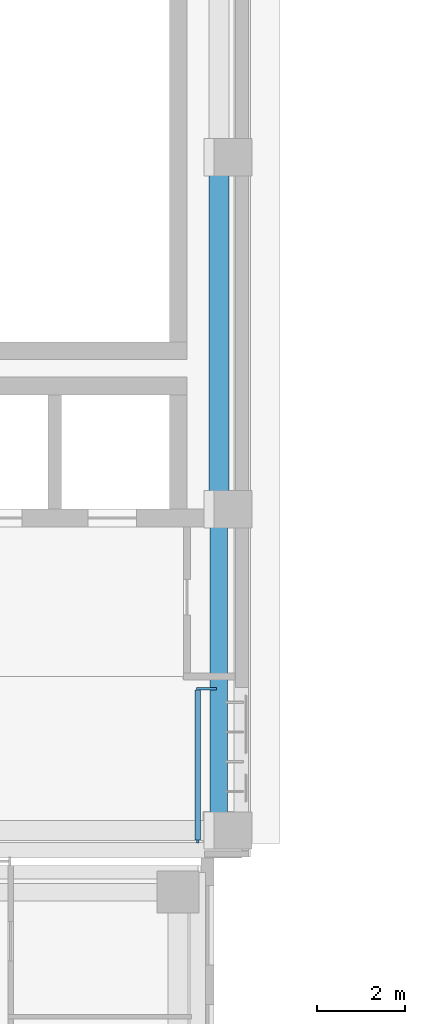
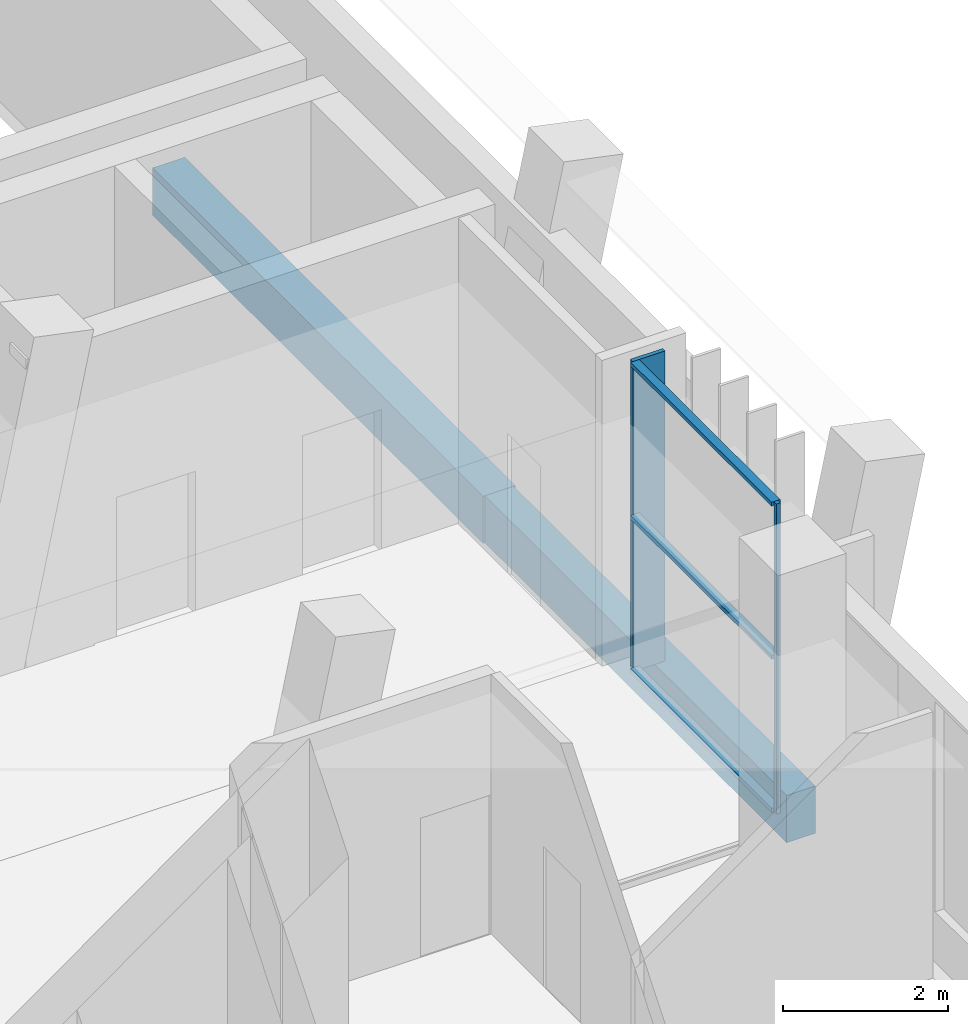
# One storey, part 43 of 92: 5 members, 2 beams, 1 element without a shape of its own.
"""IFC4 building model written with IfcOpenShell, lengths in metres."""

from ifc_helpers import new_model, si_unit, direction, frame, origin, origin_2d, place, context, subcontext, project, spatial, rectangle, extrude, material, material_profile, profile_set, type_object, element, aggregate, save


model = new_model("IFC4")

# Units and contexts
model_context = context("Model", 3, precision=1e-05, world=origin(), true_north=direction((0.0, 1.0)))
body_context = subcontext(model_context, "Body", "Model", "MODEL_VIEW")
ifc_project = project(units=[si_unit("LENGTHUNIT", "METRE"), si_unit("AREAUNIT", "SQUARE_METRE"), si_unit("VOLUMEUNIT", "CUBIC_METRE"), si_unit("PLANEANGLEUNIT", "RADIAN"), si_unit("MASSUNIT", "GRAM", prefix="KILO")], contexts=[model_context])

# Site, building, storey
site_placement = place(None, origin())
site = spatial("IfcSite", under=ifc_project, at=site_placement, CompositionType="ELEMENT")
building_placement = place(site_placement, origin())
building = spatial("IfcBuilding", under=site, at=building_placement, Name="Lantern Court Media Centre", CompositionType="ELEMENT")
storey_placement = place(building_placement, frame((0.0, 0.0, 4.800048828125)))
storey = spatial("IfcBuildingStorey", under=building, at=storey_placement, Name="L01", CompositionType="ELEMENT", Elevation=4.800048828125)

# Curtain wall, members
ifc_material_1 = material(Name="Curtain wall bay 3000")
curtain_wall_type = type_object("IfcCurtainWallType", Name="Curtain wall bay 3000", PredefinedType="NOTDEFINED", material=ifc_material_1)
curtain_wall_placement = place(storey_placement, origin())
curtain_wall = element("IfcCurtainWall", 1, at=curtain_wall_placement, inside=storey, type_object=curtain_wall_type, Name="Curtain wall E outer L01", PredefinedType="NOTDEFINED")
ifc_material_2 = material(Name="Anodised aluminium", Category="aluminium")
ifc_material_profile_1 = material_profile(ifc_material_2, rectangle(XDim=0.449951171875, YDim=0.06005859375, at=origin_2d()), Name="AL 60x450")
ifc_profile_set_1 = profile_set([ifc_material_profile_1], Name="Anodised aluminium")
member_type_1 = type_object("IfcMemberType", Name="Curtain wall mullion 60x450", PredefinedType="MULLION", material=ifc_profile_set_1)
member_1_placement = place(storey_placement, frame((96.044921875, 67.919921875, 0.0), z_axis=(0.0, 0.0, 1.0), x_axis=(-1.0, 0.0, 0.0)))
member_1 = element("IfcMember", 2, at=member_1_placement, type_object=member_type_1, Name="CW1 mullion 2", PredefinedType="MULLION", context=body_context, shape_type="SweptSolid", body=[
    extrude(rectangle(XDim=0.449951171875, YDim=0.06005859375, at=origin_2d()), origin(), (0.0, 0.0, 1.0), 4.579833984375),
])
ifc_material_profile_2 = material_profile(ifc_material_2, rectangle(XDim=0.06005859375, YDim=0.06005859375, at=origin_2d()), Name="AL 60x60")
ifc_profile_set_2 = profile_set([ifc_material_profile_2], Name="Anodised aluminium")
member_type_2 = type_object("IfcMemberType", Name="Curtain wall mullion 60x60", PredefinedType="MULLION", material=ifc_profile_set_2)
member_2_placement = place(storey_placement, frame((95.85009765625, 64.449951171875, 0.0), z_axis=(0.0, 0.0, 1.0), x_axis=(-1.0, 0.0, 0.0)))
member_2 = element("IfcMember", 3, at=member_2_placement, type_object=member_type_2, Name="CW1 mullion 1", PredefinedType="MULLION", context=body_context, shape_type="SweptSolid", body=[
    extrude(rectangle(XDim=0.06005859375, YDim=0.06005859375, at=origin_2d()), origin(), (0.0, 0.0, 1.0), 4.579833984375),
])
ifc_material_profile_3 = material_profile(ifc_material_2, rectangle(XDim=0.1201171875, YDim=0.06005859375, at=origin_2d()), Name="AL 60x120")
ifc_profile_set_3 = profile_set([ifc_material_profile_3], Name="Anodised aluminium")
member_type_3 = type_object("IfcMemberType", Name="Curtain wall transom 60x120", PredefinedType="USERDEFINED", material=ifc_profile_set_3)
member_3_placement = place(storey_placement, frame((95.85009765625, 64.47998046875, 0.030029296875), z_axis=(0.0, 1.0, 0.0), x_axis=(-1.0, 0.0, 0.0)))
member_3 = element("IfcMember", 4, at=member_3_placement, type_object=member_type_3, Name="CW1 transom 1.1", ObjectType="TRANSOM", PredefinedType="USERDEFINED", context=body_context, shape_type="SweptSolid", body=[
    extrude(rectangle(XDim=0.1201171875, YDim=0.06005859375, at=origin_2d()), origin(), (0.0, 0.0, 1.0), 3.409912109375),
])
member_4_placement = place(storey_placement, frame((95.85009765625, 64.47998046875, 2.2900390625), z_axis=(0.0, 1.0, 0.0), x_axis=(-1.0, 0.0, 0.0)))
member_4 = element("IfcMember", 5, at=member_4_placement, type_object=member_type_3, Name="CW1 transom 1.2", ObjectType="TRANSOM", PredefinedType="USERDEFINED", context=body_context, shape_type="SweptSolid", body=[
    extrude(rectangle(XDim=0.1201171875, YDim=0.06005859375, at=origin_2d()), origin(), (0.0, 0.0, 1.0), 3.409912109375),
])
member_5_placement = place(storey_placement, frame((95.85009765625, 64.47998046875, 4.550048828125), z_axis=(0.0, 1.0, 0.0), x_axis=(-1.0, 0.0, 0.0)))
member_5 = element("IfcMember", 6, at=member_5_placement, type_object=member_type_3, Name="CW1 transom 1.3", ObjectType="TRANSOM", PredefinedType="USERDEFINED", context=body_context, shape_type="SweptSolid", body=[
    extrude(rectangle(XDim=0.1201171875, YDim=0.06005859375, at=origin_2d()), origin(), (0.0, 0.0, 1.0), 3.409912109375),
])
aggregate(curtain_wall, [member_2, member_1, member_3, member_4, member_5])

# Beams
ifc_material_3 = material(Name="Concrete C35", Category="concrete")
ifc_material_profile_4 = material_profile(ifc_material_3, rectangle(XDim=0.39990234375, YDim=0.699951171875, at=origin_2d()), Name="RC 400x700")
ifc_profile_set_4 = profile_set([ifc_material_profile_4], Name="Concrete C35")
beam_type_1 = type_object("IfcBeamType", Name="RC BEAM 400x700", PredefinedType="BEAM", material=ifc_profile_set_4)
beam_1_placement = place(storey_placement, frame((96.3271484375, 64.699951171875, -0.35009765625), z_axis=(0.0, 1.0, 0.0), x_axis=(-1.0, 0.0, 0.0)))
element("IfcBeam", 7, at=beam_1_placement, inside=storey, type_object=beam_type_1, Name="LB-E-L01-2-0", PredefinedType="BEAM", context=body_context, shape_type="SweptSolid", body=[
    extrude(rectangle(XDim=0.39990234375, YDim=0.699951171875, at=origin_2d()), origin(), (0.0, 0.0, 1.0), 7.300048828125),
])
ifc_material_profile_5 = material_profile(ifc_material_3, rectangle(XDim=0.449951171875, YDim=0.699951171875, at=origin_2d()), Name="RC 450x700")
ifc_profile_set_5 = profile_set([ifc_material_profile_5], Name="Concrete C35")
beam_type_2 = type_object("IfcBeamType", Name="RC BEAM 450x700", PredefinedType="BEAM", material=ifc_profile_set_5)
beam_2_placement = place(storey_placement, frame((96.3271484375, 72.0, -0.35009765625), z_axis=(0.0, 1.0, 0.0), x_axis=(-1.0, 0.0, 0.0)))
element("IfcBeam", 8, at=beam_2_placement, inside=storey, type_object=beam_type_2, Name="LB-E-L01-2-1", PredefinedType="BEAM", context=body_context, shape_type="SweptSolid", body=[
    extrude(rectangle(XDim=0.449951171875, YDim=0.699951171875, at=origin_2d()), origin(), (0.0, 0.0, 1.0), 8.0),
])

save(model, "model.ifc")
